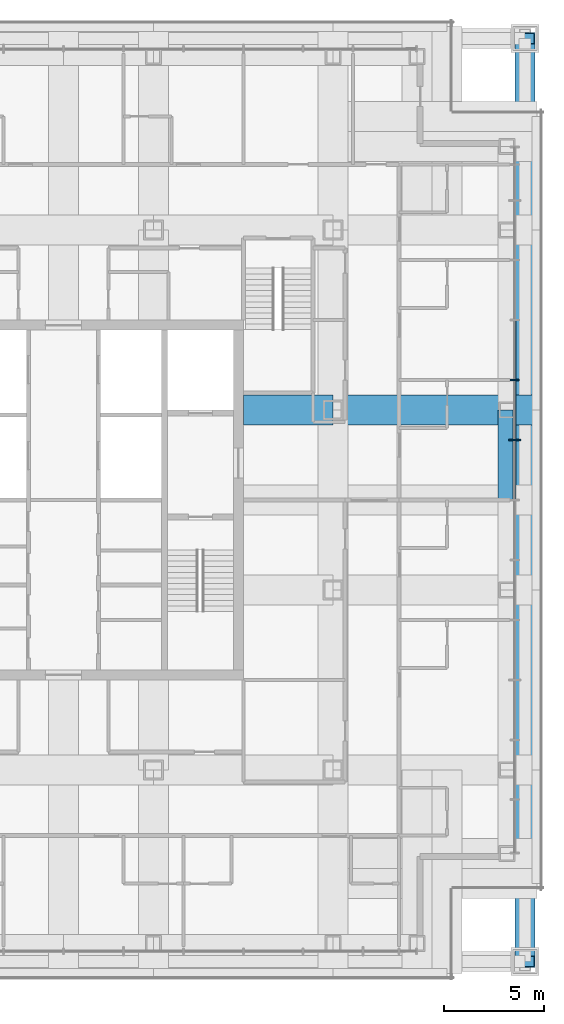
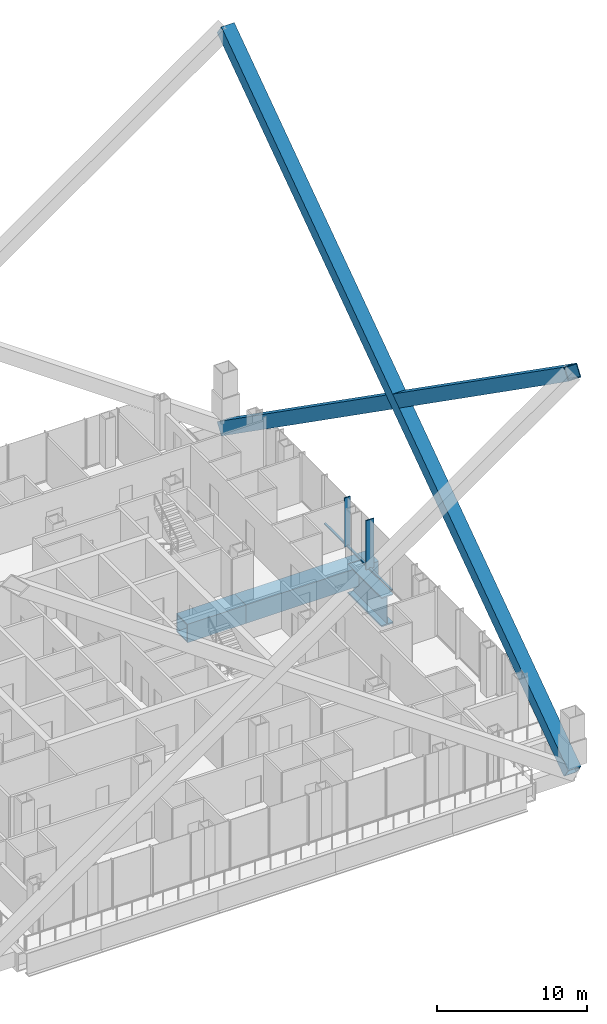
# One storey, part 6 of 18: 7 members, 3 beams, 1 element without a shape of its own.
"""IFC4 building model written with IfcOpenShell, lengths in metres."""

from ifc_helpers import new_model, si_unit, direction, frame, origin, origin_2d, place, context, subcontext, project, spatial, rectangle, hollow_rectangle, i_section, extrude, material, layer, layer_set, material_profile, profile_set, type_object, element, aggregate, save


model = new_model("IFC4")

# Units and contexts
model_context = context("Model", 3, precision=1e-05, world=origin(), true_north=direction((0.0, 1.0)))
body_context = subcontext(model_context, "Body", "Model", "MODEL_VIEW")
ifc_project = project(units=[si_unit("LENGTHUNIT", "METRE"), si_unit("AREAUNIT", "SQUARE_METRE"), si_unit("VOLUMEUNIT", "CUBIC_METRE"), si_unit("PLANEANGLEUNIT", "RADIAN"), si_unit("MASSUNIT", "GRAM", prefix="KILO")], contexts=[model_context])

# Site, building, storey
site_placement = place(None, origin())
site = spatial("IfcSite", under=ifc_project, at=site_placement, CompositionType="ELEMENT")
building_placement = place(site_placement, origin())
building = spatial("IfcBuilding", under=site, at=building_placement, Name="Malebo Sky Hospital", CompositionType="ELEMENT")
storey_placement = place(building_placement, frame((0.0, 0.0, 177.0)))
storey = spatial("IfcBuildingStorey", under=building, at=storey_placement, Name="L42", CompositionType="ELEMENT", Elevation=177.0)

# Curtain wall, members
ifc_material_1 = material(Name="Anodised aluminium, natural silver", Category="aluminium")
ifc_layer = layer(ifc_material_1, 0.25)
ifc_layer_set = layer_set([ifc_layer], Name="WARD CURTAIN WALL EAST AND WEST")
curtain_wall_type = type_object("IfcCurtainWallType", Name="WARD CURTAIN WALL EAST AND WEST", PredefinedType="NOTDEFINED", material=ifc_layer_set)
curtain_wall_placement = place(storey_placement, origin())
curtain_wall = element("IfcCurtainWall", 1, at=curtain_wall_placement, inside=storey, type_object=curtain_wall_type, Name="EW curtain wall E", PredefinedType="NOTDEFINED")
ifc_material_profile_1 = material_profile(ifc_material_1, rectangle(XDim=0.14990234375, YDim=0.10009765625, at=origin_2d()), Name="ALUMINIUM TRANSOM 150x100")
ifc_profile_set_1 = profile_set([ifc_material_profile_1], Name="Anodised aluminium, natural silver")
member_type_1 = type_object("IfcMemberType", Name="ALUMINIUM TRANSOM 150x100", PredefinedType="USERDEFINED", material=ifc_profile_set_1)
member_1_placement = place(storey_placement, frame((82.574951171875, 70.96240234375, 0.050048828125), z_axis=(0.0, -1.0, 0.0), x_axis=(1.0, 0.0, 0.0)))
member_1 = element("IfcMember", 2, at=member_1_placement, type_object=member_type_1, Name="Transom 5", ObjectType="TRANSOM", PredefinedType="USERDEFINED", context=body_context, shape_type="SweptSolid", body=[
    extrude(rectangle(XDim=0.14990234375, YDim=0.10009765625, at=origin_2d()), origin(), (0.0, 0.0, 1.0), 2.9248046875),
])
member_2_placement = place(storey_placement, frame((82.574951171875, 67.96240234375, 0.050048828125), z_axis=(0.0, -1.0, 0.0), x_axis=(1.0, 0.0, 0.0)))
member_2 = element("IfcMember", 3, at=member_2_placement, type_object=member_type_1, Name="Transom 6", ObjectType="TRANSOM", PredefinedType="USERDEFINED", context=body_context, shape_type="SweptSolid", body=[
    extrude(rectangle(XDim=0.14990234375, YDim=0.10009765625, at=origin_2d()), origin(), (0.0, 0.0, 1.0), 2.9248046875),
])
member_3_placement = place(storey_placement, frame((82.574951171875, 64.96240234375, 0.050048828125), z_axis=(0.0, -1.0, 0.0), x_axis=(1.0, 0.0, 0.0)))
member_3 = element("IfcMember", 4, at=member_3_placement, type_object=member_type_1, Name="Transom 7", ObjectType="TRANSOM", PredefinedType="USERDEFINED", context=body_context, shape_type="SweptSolid", body=[
    extrude(rectangle(XDim=0.14990234375, YDim=0.10009765625, at=origin_2d()), origin(), (0.0, 0.0, 1.0), 2.9248046875),
])
ifc_material_profile_2 = material_profile(ifc_material_1, rectangle(XDim=0.074951171875, YDim=0.449951171875, at=origin_2d()), Name="CW2 ALUMINIUM FIN MULLION 75x450")
ifc_profile_set_2 = profile_set([ifc_material_profile_2], Name="Anodised aluminium, natural silver")
member_type_2 = type_object("IfcMemberType", Name="CW2 ALUMINIUM FIN MULLION 75x450", PredefinedType="MULLION", material=ifc_profile_set_2)
member_4_placement = place(storey_placement, frame((82.574951171875, 68.0, 0.0), z_axis=(0.0, 0.0, 1.0), x_axis=(0.0, -1.0, 0.0)))
member_4 = element("IfcMember", 5, at=member_4_placement, type_object=member_type_2, Name="Fin mullion 6", PredefinedType="MULLION", context=body_context, shape_type="SweptSolid", body=[
    extrude(rectangle(XDim=0.074951171875, YDim=0.449951171875, at=origin_2d()), origin(), (0.0, 0.0, 1.0), 4.0),
])
ifc_material_profile_3 = material_profile(ifc_material_1, rectangle(XDim=0.074951171875, YDim=0.60009765625, at=origin_2d()), Name="CW2 ALUMINIUM FIN MULLION 75x600")
ifc_profile_set_3 = profile_set([ifc_material_profile_3], Name="Anodised aluminium, natural silver")
member_type_3 = type_object("IfcMemberType", Name="CW2 ALUMINIUM FIN MULLION 75x600", PredefinedType="MULLION", material=ifc_profile_set_3)
member_5_placement = place(storey_placement, frame((82.574951171875, 65.0, 0.0), z_axis=(0.0, 0.0, 1.0), x_axis=(0.0, -1.0, 0.0)))
member_5 = element("IfcMember", 6, at=member_5_placement, type_object=member_type_3, Name="Fin mullion 7", PredefinedType="MULLION", context=body_context, shape_type="SweptSolid", body=[
    extrude(rectangle(XDim=0.074951171875, YDim=0.60009765625, at=origin_2d()), origin(), (0.0, 0.0, 1.0), 4.0),
])
aggregate(curtain_wall, [member_4, member_5, member_1, member_2, member_3])

# Members
ifc_material_2 = material(Name="Steel S460", Category="steel")
ifc_material_profile_4 = material_profile(ifc_material_2, hollow_rectangle(XDim=1.0, YDim=1.0, WallThickness=0.06005859375, at=origin_2d()), Name="BOX 1000x1000x60")
ifc_profile_set_4 = profile_set([ifc_material_profile_4], Name="Steel S460")
member_type_4 = type_object("IfcMemberType", Name="MEGA BRACE BOX 1000x1000x60", PredefinedType="BRACE", material=ifc_profile_set_4)
for number, where, z_axis, x_axis, name in (
    (7, (83.10009765625, 38.89990234375, -0.85009765625), (0.0, 0.818315050894, 0.574769934392), (-1.0, 0.0, 0.0), "Mega brace C1E1 L42-L50"),
    (8, (83.10009765625, 85.10009765625, -0.85009765625), (0.0, -0.818315050894, 0.574769934392), (1.0, 0.0, 0.0), "Mega brace C1E2 L42-L50"),
):
    element("IfcMember", number, at=place(storey_placement, frame(where, z_axis=z_axis, x_axis=x_axis)), inside=storey, type_object=member_type_4, Name=name, PredefinedType="BRACE", context=body_context, shape_type="SweptSolid", body=[
        extrude(hollow_rectangle(XDim=1.0, YDim=1.0, WallThickness=0.06005859375, at=origin_2d()), origin(), (0.0, 0.0, 1.0), 56.457763671875),
    ])

# Beams
ifc_material_profile_5 = material_profile(ifc_material_2, hollow_rectangle(XDim=1.5, YDim=1.5, WallThickness=0.10009765625, at=origin_2d()), Name="BOX 1500x1500x100")
ifc_profile_set_5 = profile_set([ifc_material_profile_5], Name="Steel S460")
beam_type_1 = type_object("IfcBeamType", Name="TRANSFER GIRDER BOX 1500x1500x100", PredefinedType="BEAM", material=ifc_profile_set_5)
beam_1_placement = place(storey_placement, frame((69.0, 66.5, -1.0), z_axis=(1.0, 0.0, 0.0), x_axis=(0.0, 1.0, 0.0)))
element("IfcBeam", 9, at=beam_1_placement, inside=storey, type_object=beam_type_1, Name="Beam 063 L42", PredefinedType="BEAM", context=body_context, shape_type="SweptSolid", body=[
    extrude(hollow_rectangle(XDim=1.5, YDim=1.5, WallThickness=0.10009765625, at=origin_2d()), origin(), (0.0, 0.0, 1.0), 4.5),
])
beam_2_placement = place(storey_placement, frame((73.5, 66.5, -1.0), z_axis=(1.0, 0.0, 0.0), x_axis=(0.0, 1.0, 0.0)))
element("IfcBeam", 10, at=beam_2_placement, inside=storey, type_object=beam_type_1, Name="Beam 064 L42", PredefinedType="BEAM", context=body_context, shape_type="SweptSolid", body=[
    extrude(hollow_rectangle(XDim=1.5, YDim=1.5, WallThickness=0.10009765625, at=origin_2d()), origin(), (0.0, 0.0, 1.0), 10.199951171875),
])
ifc_material_3 = material(Name="Steel S355", Category="steel")
ifc_material_profile_6 = material_profile(ifc_material_3, i_section(OverallWidth=0.89990234375, OverallDepth=2.39990234375, WebThickness=0.050048828125, FlangeThickness=0.10009765625, at=origin_2d()), Name="PG 2400x900x50x100")
ifc_profile_set_6 = profile_set([ifc_material_profile_6], Name="Steel S355")
beam_type_2 = type_object("IfcBeamType", Name="TRANSFER GIRDER PG 2400x900x50x100", PredefinedType="BEAM", material=ifc_profile_set_6)
beam_3_placement = place(storey_placement, frame((82.199951171875, 62.0, -1.449951171875), z_axis=(0.0, 1.0, 0.0), x_axis=(-1.0, 0.0, 0.0)))
element("IfcBeam", 11, at=beam_3_placement, inside=storey, type_object=beam_type_2, Name="Beam 034d L42", PredefinedType="BEAM", context=body_context, shape_type="SweptSolid", body=[
    extrude(i_section(OverallWidth=0.89990234375, OverallDepth=2.39990234375, WebThickness=0.050048828125, FlangeThickness=0.10009765625, at=origin_2d()), origin(), (0.0, 0.0, 1.0), 4.5),
])

save(model, "model.ifc")
